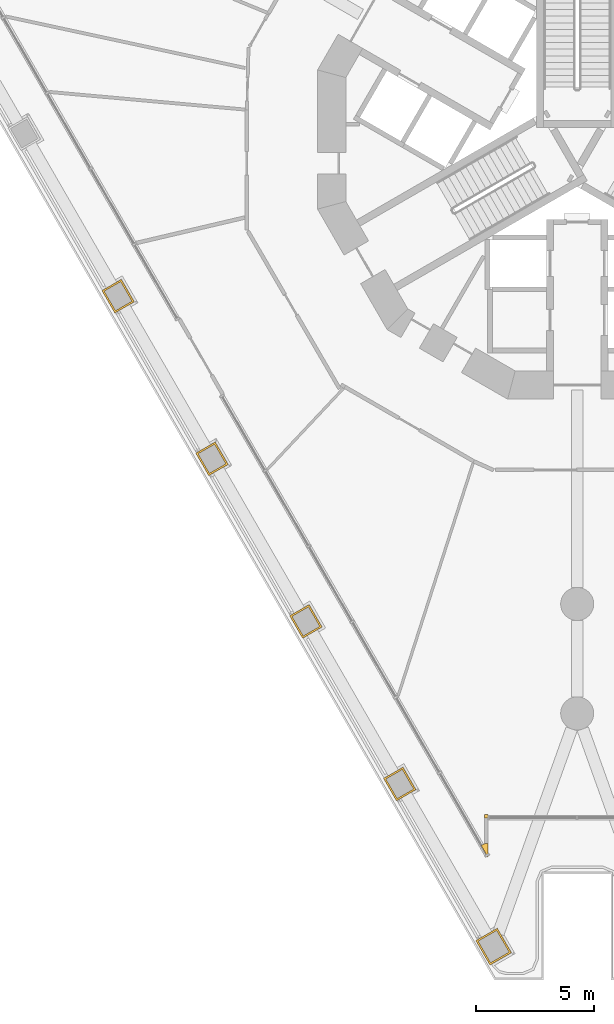
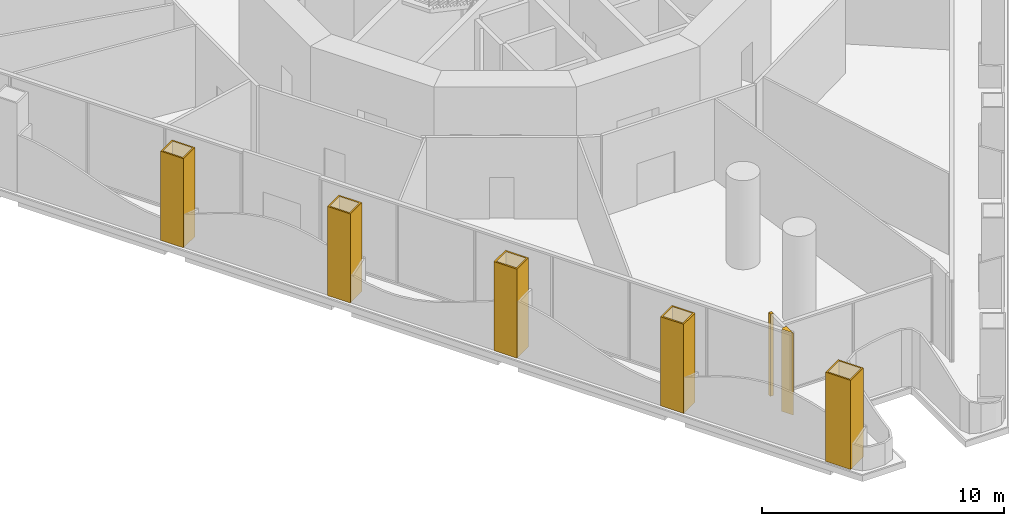
# One storey, part 15 of 22: 7 coverings.
"""IFC4 building model written with IfcOpenShell, lengths in metres."""

from ifc_helpers import new_model, si_unit, direction, frame, origin, place, context, subcontext, project, spatial, polyline, outline, extrude, material, layer, layer_set, type_object, element, save


model = new_model("IFC4")

# Units and contexts
model_context = context("Model", 3, precision=1e-05, world=origin(), true_north=direction((0.0, 1.0)))
body_context = subcontext(model_context, "Body", "Model", "MODEL_VIEW")
ifc_project = project(units=[si_unit("LENGTHUNIT", "METRE"), si_unit("AREAUNIT", "SQUARE_METRE"), si_unit("VOLUMEUNIT", "CUBIC_METRE"), si_unit("PLANEANGLEUNIT", "RADIAN"), si_unit("MASSUNIT", "GRAM", prefix="KILO")], contexts=[model_context])

# Site, building, storey
site_placement = place(None, origin())
site = spatial("IfcSite", under=ifc_project, at=site_placement, CompositionType="ELEMENT")
building_placement = place(site_placement, origin())
building = spatial("IfcBuilding", under=site, at=building_placement, Name="Trine Commons Tower", CompositionType="ELEMENT")
storey_placement = place(building_placement, frame((0.0, 0.0, 22.5)))
storey = spatial("IfcBuildingStorey", under=building, at=storey_placement, Name="L04", CompositionType="ELEMENT", Elevation=22.5)

# Coverings
ifc_material_1 = material(Name="Aluminium-framed insulated wall panel", Category="aluminium")
ifc_layer_1 = layer(ifc_material_1, 0.14990234375)
ifc_layer_set_1 = layer_set([ifc_layer_1], Name="Aluminium-framed insulated wall panel")
covering_type_1 = type_object("IfcCoveringType", Name="Glazing corner post, aluminium", PredefinedType="CLADDING", material=ifc_layer_set_1)
covering_1_placement = place(storey_placement, origin())
element("IfcCovering", 1, at=covering_1_placement, inside=storey, type_object=covering_type_1, Name="Glazing corner post 1-11", PredefinedType="CLADDING", context=body_context, shape_type="SweptSolid", body=[
    extrude(outline(polyline([(76.2099609375, 33.870849609375), (76.06005859375, 33.870849609375), (76.06005859375, 33.720703125), (76.2099609375, 33.720703125), (76.2099609375, 33.870849609375)])), origin(), (0.0, 0.0, 1.0), 4.14990234375),
])
covering_2_placement = place(storey_placement, origin())
element("IfcCovering", 2, at=covering_2_placement, inside=storey, type_object=covering_type_1, Name="Glazing corner post 1-12", PredefinedType="CLADDING", context=body_context, shape_type="SweptSolid", body=[
    extrude(outline(polyline([(75.93017578125, 32.56005859375), (76.2099609375, 32.0751953125), (76.2099609375, 32.635009765625), (76.06005859375, 32.635009765625), (75.93017578125, 32.56005859375)])), origin(), (0.0, 0.0, 1.0), 4.14990234375),
])
ifc_material_2 = material(Name="Limestone, honed", Category="masonry")
ifc_layer_2 = layer(ifc_material_2, 0.074951171875)
ifc_layer_set_2 = layer_set([ifc_layer_2], Name="Limestone, honed")
covering_type_2 = type_object("IfcCoveringType", Name="Limestone column cladding 75", PredefinedType="CLADDING", material=ifc_layer_set_2)
covering_3_placement = place(storey_placement, origin())
element("IfcCovering", 3, at=covering_3_placement, inside=storey, type_object=covering_type_2, Name="Limestone pier cladding 1-01", PredefinedType="CLADDING", context=body_context, shape_type="SweptSolid", body=[
    extrude(outline(polyline([(76.610107421875, 29.052001953125), (75.70068359375, 28.527099609375), (76.30078125, 27.48779296875), (77.210205078125, 28.012939453125), (76.610107421875, 29.052001953125)]), holes=[polyline([(76.582763671875, 28.94970703125), (75.80322265625, 28.499755859375), (76.328369140625, 27.59033203125), (77.107666015625, 28.040283203125), (76.582763671875, 28.94970703125)])]), origin(), (0.0, 0.0, 1.0), 4.5),
])
covering_4_placement = place(storey_placement, origin())
element("IfcCovering", 4, at=covering_4_placement, inside=storey, type_object=covering_type_2, Name="Limestone pier cladding 1-02", PredefinedType="CLADDING", context=body_context, shape_type="SweptSolid", body=[
    extrude(outline(polyline([(72.610107421875, 35.88037109375), (71.787353515625, 35.4052734375), (72.33740234375, 34.45263671875), (73.16015625, 34.927734375), (72.610107421875, 35.88037109375)]), holes=[polyline([(72.582763671875, 35.77783203125), (71.889892578125, 35.3779296875), (72.364990234375, 34.55517578125), (73.0576171875, 34.955078125), (72.582763671875, 35.77783203125)])]), origin(), (0.0, 0.0, 1.0), 4.5),
])
covering_5_placement = place(storey_placement, origin())
element("IfcCovering", 5, at=covering_5_placement, inside=storey, type_object=covering_type_2, Name="Limestone pier cladding 1-03", PredefinedType="CLADDING", context=body_context, shape_type="SweptSolid", body=[
    extrude(outline(polyline([(68.62841796875, 42.77685546875), (67.8056640625, 42.3017578125), (68.355712890625, 41.34912109375), (69.178466796875, 41.82421875), (68.62841796875, 42.77685546875)]), holes=[polyline([(68.60107421875, 42.67431640625), (67.908203125, 42.2744140625), (68.38330078125, 41.45166015625), (69.075927734375, 41.8515625), (68.60107421875, 42.67431640625)])]), origin(), (0.0, 0.0, 1.0), 4.5),
])
covering_6_placement = place(storey_placement, origin())
element("IfcCovering", 6, at=covering_6_placement, inside=storey, type_object=covering_type_2, Name="Limestone pier cladding 1-04", PredefinedType="CLADDING", context=body_context, shape_type="SweptSolid", body=[
    extrude(outline(polyline([(64.64697265625, 49.67333984375), (63.82421875, 49.1982421875), (64.3740234375, 48.24560546875), (65.197021484375, 48.720703125), (64.64697265625, 49.67333984375)]), holes=[polyline([(64.619384765625, 49.57080078125), (63.926513671875, 49.1708984375), (64.401611328125, 48.34814453125), (65.094482421875, 48.748046875), (64.619384765625, 49.57080078125)])]), origin(), (0.0, 0.0, 1.0), 4.5),
])
covering_7_placement = place(storey_placement, origin())
element("IfcCovering", 7, at=covering_7_placement, inside=storey, type_object=covering_type_2, Name="Limestone pier cladding 1-05", PredefinedType="CLADDING", context=body_context, shape_type="SweptSolid", body=[
    extrude(outline(polyline([(60.665283203125, 56.569580078125), (59.84228515625, 56.0947265625), (60.392333984375, 55.14208984375), (61.215087890625, 55.6171875), (60.665283203125, 56.569580078125)]), holes=[polyline([(60.6376953125, 56.46728515625), (59.94482421875, 56.0673828125), (60.419921875, 55.244384765625), (61.11279296875, 55.64453125), (60.6376953125, 56.46728515625)])]), origin(), (0.0, 0.0, 1.0), 4.5),
])

save(model, "model.ifc")
